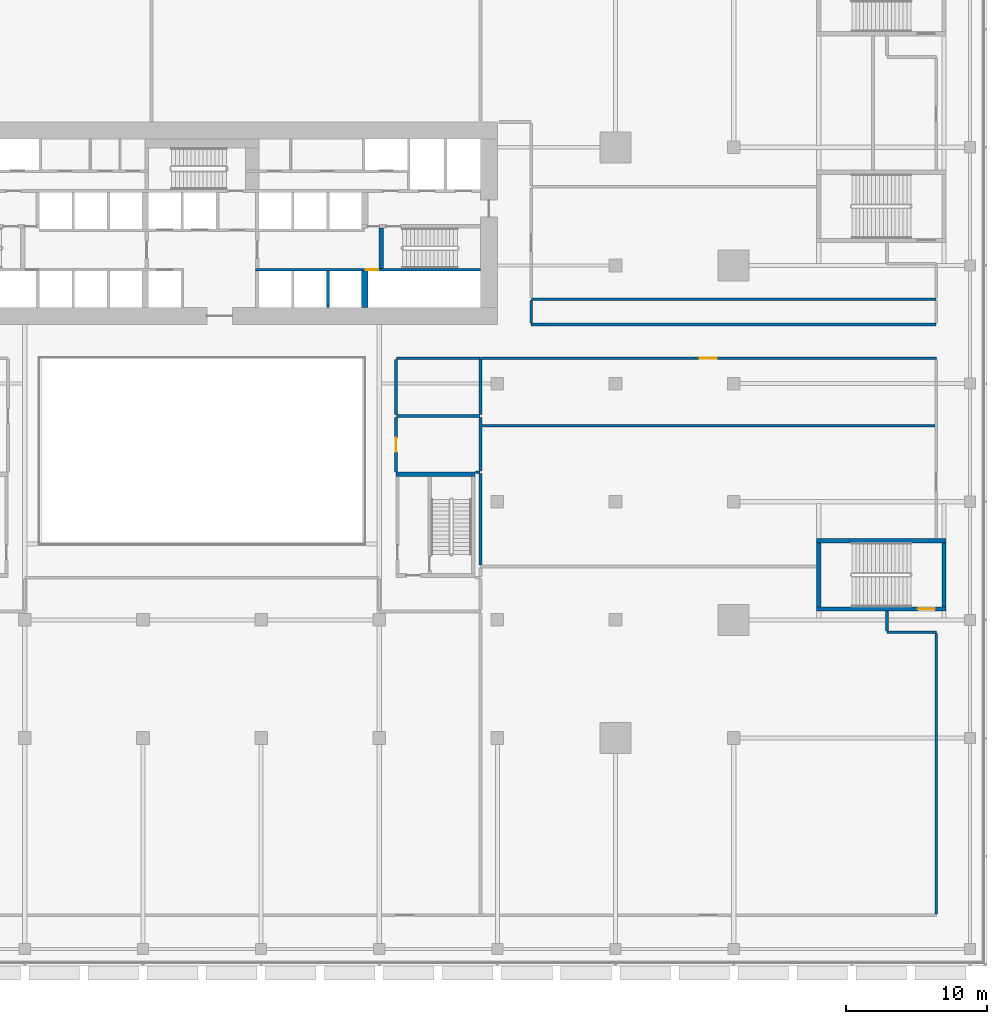
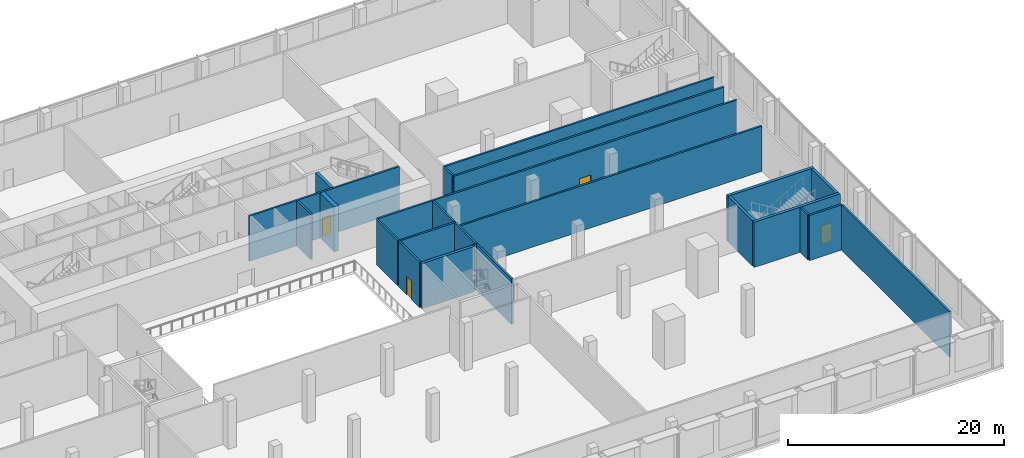
# One storey, part 30 of 39: 25 walls, 4 doors, 4 openings.
"""IFC4 building model written with IfcOpenShell, lengths in metres."""

from ifc_helpers import new_model, si_unit, direction, frame, frame_2d, origin, place, context, subcontext, project, spatial, rectangle, extrude, material, layer, layer_set, type_object, element, fill, save


model = new_model("IFC4")

# Units and contexts
model_context = context("Model", 3, precision=1e-05, world=origin(), true_north=direction((0.0, 1.0)))
body_context = subcontext(model_context, "Body", "Model", "MODEL_VIEW")
ifc_project = project(units=[si_unit("LENGTHUNIT", "METRE"), si_unit("AREAUNIT", "SQUARE_METRE"), si_unit("VOLUMEUNIT", "CUBIC_METRE"), si_unit("PLANEANGLEUNIT", "RADIAN"), si_unit("MASSUNIT", "GRAM", prefix="KILO")], contexts=[model_context])

# Site, building, storey
site_placement = place(None, origin())
site = spatial("IfcSite", under=ifc_project, at=site_placement, CompositionType="ELEMENT")
building_placement = place(site_placement, origin())
building = spatial("IfcBuilding", under=site, at=building_placement, Name="Saffron Gate Tower", CompositionType="ELEMENT")
storey_placement = place(building_placement, frame((0.0, 0.0, 9.0)))
storey = spatial("IfcBuildingStorey", under=building, at=storey_placement, Name="L01", CompositionType="ELEMENT", Elevation=9.0)

# Wall
ifc_material_1 = material(Name="Concrete C70", Category="concrete")
ifc_layer_1 = layer(ifc_material_1, 0.199951171875)
ifc_layer_set_1 = layer_set([ifc_layer_1], Name="CW3 RC core wall 200 C70")
wall_type_1 = type_object("IfcWallType", Name="CW3 RC core wall 200 C70", PredefinedType="SOLIDWALL", material=ifc_layer_set_1)
wall_1_placement = place(storey_placement, frame((96.550048828125, 62.39990234375, 0.0), z_axis=(0.0, 0.0, 1.0), x_axis=(0.0, 1.0, 0.0)))
element("IfcWall", 1, at=wall_1_placement, inside=storey, type_object=wall_type_1, Name="Wall CW3-L01-12", PredefinedType="SOLIDWALL", context=body_context, shape_type="SweptSolid", body=[
    extrude(rectangle(XDim=2.60009765625, YDim=0.199951171875, at=frame_2d((1.300048828125, 0.0))), origin(), (0.0, 0.0, 1.0), 5.10009765625),
])

# Wall, opening, door
wall_2_placement = place(storey_placement, frame((91.39990234375, 65.10009765625, 0.0), z_axis=(0.0, 0.0, 1.0), x_axis=(1.0, 0.0, 0.0)))
wall_2 = element("IfcWall", 2, at=wall_2_placement, inside=storey, type_object=wall_type_1, Name="Wall CW3-L01-15", PredefinedType="SOLIDWALL", context=body_context, shape_type="SweptSolid", body=[
    extrude(rectangle(XDim=16.0, YDim=0.199951171875, at=frame_2d((8.0, 0.0))), origin(), (0.0, 0.0, 1.0), 5.10009765625),
])
opening_1_placement = place(wall_2_placement, frame((7.830078125, 0.0, 0.0)))
opening_1 = element("IfcOpeningElement", 3, at=opening_1_placement, cuts=wall_2, Name="Opening CR-48", PredefinedType="OPENING", context=body_context, shape_type="SweptSolid", body=[
    extrude(rectangle(XDim=0.89990234375, YDim=2.10009765625, at=frame_2d((0.449951171875, 1.050048828125))), frame((0.0, 0.10986328125, 0.0), z_axis=(0.0, -1.0, 0.0), x_axis=(1.0, 0.0, 0.0)), (0.0, 0.0, 1.0), 0.219970703125),
])
ifc_material_2 = material(Name="Steel fire door set", Category="steel")
door_type_1 = type_object("IfcDoorType", Name="CD2 Riser door 900x2100 EI 60", OperationType="NOTDEFINED", PredefinedType="DOOR", material=ifc_material_2)
door_1_placement = place(opening_1_placement, origin())
door_1 = element("IfcDoor", 4, at=door_1_placement, inside=storey, type_object=door_type_1, Name="DOOR CR-48", OperationType="SINGLE_SWING_RIGHT", OverallHeight=2.10009765625, OverallWidth=0.89990234375, PredefinedType="DOOR", context=body_context, shape_type="SweptSolid", body=[
    extrude(rectangle(XDim=0.89990234375, YDim=2.10009765625, at=frame_2d((0.449951171875, 1.050048828125))), frame((0.0, 0.02490234375, 0.0), z_axis=(0.0, -1.0, 0.0), x_axis=(1.0, 0.0, 0.0)), (0.0, 0.0, 1.0), 0.050048828125),
])
fill(opening_1, door_1)

# Walls
ifc_layer_2 = layer(ifc_material_1, 0.449951171875)
ifc_layer_set_2 = layer_set([ifc_layer_2], Name="CW4 RC core wall 450 C70")
wall_type_2 = type_object("IfcWallType", Name="CW4 RC core wall 450 C70", PredefinedType="SOLIDWALL", material=ifc_layer_set_2)
wall_3_placement = place(storey_placement, frame((99.175048828125, 62.39990234375, 0.0), z_axis=(0.0, 0.0, 1.0), x_axis=(0.0, 1.0, 0.0)))
element("IfcWall", 5, at=wall_3_placement, inside=storey, type_object=wall_type_2, Name="Wall CW4-L01-13", PredefinedType="SOLIDWALL", context=body_context, shape_type="SweptSolid", body=[
    extrude(rectangle(XDim=2.60009765625, YDim=0.449951171875, at=frame_2d((1.300048828125, 0.0))), origin(), (0.0, 0.0, 1.0), 5.10009765625),
])
ifc_layer_3 = layer(ifc_material_1, 0.300048828125)
ifc_layer_set_3 = layer_set([ifc_layer_3], Name="CW5 RC core wall 300 C70")
wall_type_3 = type_object("IfcWallType", Name="CW5 RC core wall 300 C70", PredefinedType="SOLIDWALL", material=ifc_layer_set_3)
wall_4_placement = place(storey_placement, frame((100.35009765625, 65.199951171875, 0.0), z_axis=(0.0, 0.0, 1.0), x_axis=(0.0, 1.0, 0.0)))
element("IfcWall", 6, at=wall_4_placement, inside=storey, type_object=wall_type_3, Name="Wall CW5-L01-19", PredefinedType="SOLIDWALL", context=body_context, shape_type="SweptSolid", body=[
    extrude(rectangle(XDim=2.85009765625, YDim=0.300048828125, at=frame_2d((1.425048828125, 0.0))), origin(), (0.0, 0.0, 1.0), 5.10009765625),
])
wall_5_placement = place(storey_placement, frame((101.39990234375, 50.550048828125, 0.0), z_axis=(0.0, 0.0, 1.0), x_axis=(1.0, 0.0, 0.0)))
element("IfcWall", 7, at=wall_5_placement, inside=storey, type_object=wall_type_3, Name="Wall CW5-L01-E-5", PredefinedType="SOLIDWALL", context=body_context, shape_type="SweptSolid", body=[
    extrude(rectangle(XDim=5.60009765625, YDim=0.300048828125, at=frame_2d((2.800048828125, 0.0))), origin(), (0.0, 0.0, 1.0), 5.10009765625),
])

# Wall, opening, door
wall_6_placement = place(storey_placement, frame((131.300048828125, 40.97509765625, 0.0), z_axis=(0.0, 0.0, 1.0), x_axis=(1.0, 0.0, 0.0)))
wall_6 = element("IfcWall", 8, at=wall_6_placement, inside=storey, type_object=wall_type_3, Name="Wall CW5-L01-K-1", PredefinedType="SOLIDWALL", context=body_context, shape_type="SweptSolid", body=[
    extrude(rectangle(XDim=9.199951171875, YDim=0.300048828125, at=frame_2d((4.60009765625, 0.0))), origin(), (0.0, 0.0, 1.0), 5.10009765625),
])
opening_2_placement = place(wall_6_placement, frame((7.199951171875, 0.0, 0.0)))
opening_2 = element("IfcOpeningElement", 9, at=opening_2_placement, cuts=wall_6, Name="Opening CR-41", PredefinedType="OPENING", context=body_context, shape_type="SweptSolid", body=[
    extrude(rectangle(XDim=1.199951171875, YDim=2.10009765625, at=frame_2d((0.60009765625, 1.050048828125))), frame((0.0, 0.16015625, 0.0), z_axis=(0.0, -1.0, 0.0), x_axis=(1.0, 0.0, 0.0)), (0.0, 0.0, 1.0), 0.320068359375),
])
door_type_2 = type_object("IfcDoorType", Name="CD12 Stair door 1200x2100 EI 120", OperationType="NOTDEFINED", PredefinedType="DOOR", material=ifc_material_2)
door_2_placement = place(opening_2_placement, origin())
door_2 = element("IfcDoor", 10, at=door_2_placement, inside=storey, type_object=door_type_2, Name="DOOR CR-41", OperationType="SINGLE_SWING_RIGHT", OverallHeight=2.10009765625, OverallWidth=1.199951171875, PredefinedType="DOOR", context=body_context, shape_type="SweptSolid", body=[
    extrude(rectangle(XDim=1.199951171875, YDim=2.10009765625, at=frame_2d((0.60009765625, 1.050048828125))), frame((0.0, 0.02490234375, 0.0), z_axis=(0.0, -1.0, 0.0), x_axis=(1.0, 0.0, 0.0)), (0.0, 0.0, 1.0), 0.050048828125),
])
fill(opening_2, door_2)

# Walls
for number, where, z_axis, x_axis, name in (
    (11, (131.449951171875, 41.125, 0.0), (0.0, 0.0, 1.0), (0.0, 1.0, 0.0), "Wall CW5-L01-K-2"),
    (12, (140.35009765625, 41.125, 0.0), (0.0, 0.0, 1.0), (0.0, 1.0, 0.0), "Wall CW5-L01-K-3"),
):
    element("IfcWall", number, at=place(storey_placement, frame(where, z_axis=z_axis, x_axis=x_axis)), inside=storey, type_object=wall_type_3, Name=name, PredefinedType="SOLIDWALL", context=body_context, shape_type="SweptSolid", body=[
        extrude(rectangle(XDim=4.550048828125, YDim=0.300048828125, at=frame_2d((2.27490234375, 0.0))), origin(), (0.0, 0.0, 1.0), 5.10009765625),
    ])
wall_7_placement = place(storey_placement, frame((131.300048828125, 45.824951171875, 0.0), z_axis=(0.0, 0.0, 1.0), x_axis=(1.0, 0.0, 0.0)))
element("IfcWall", 13, at=wall_7_placement, inside=storey, type_object=wall_type_3, Name="Wall CW5-L01-K-4", PredefinedType="SOLIDWALL", context=body_context, shape_type="SweptSolid", body=[
    extrude(rectangle(XDim=9.199951171875, YDim=0.300048828125, at=frame_2d((4.60009765625, 0.0))), origin(), (0.0, 0.0, 1.0), 5.10009765625),
])
ifc_material_3 = material(Name="Clay brick masonry, rendered", Category="masonry")
ifc_layer_4 = layer(ifc_material_3, 0.199951171875)
ifc_layer_set_4 = layer_set([ifc_layer_4], Name="PW3 Corridor wall 200")
wall_type_4 = type_object("IfcWallType", Name="PW3 Corridor wall 200", PredefinedType="PARTITIONING", material=ifc_layer_set_4)
wall_8_placement = place(storey_placement, frame((136.300048828125, 39.324951171875, 0.0), z_axis=(0.0, 0.0, 1.0), x_axis=(1.0, 0.0, 0.0)))
element("IfcWall", 14, at=wall_8_placement, inside=storey, type_object=wall_type_4, Name="Wall P1-3", PredefinedType="PARTITIONING", context=body_context, shape_type="SweptSolid", body=[
    extrude(rectangle(XDim=3.5, YDim=0.199951171875, at=frame_2d((1.75, 0.0))), origin(), (0.0, 0.0, 1.0), 5.10009765625),
])

# Wall, opening, door
wall_9_placement = place(storey_placement, frame((139.800048828125, 58.800048828125, 0.0), z_axis=(0.0, 0.0, 1.0), x_axis=(-1.0, 0.0, 0.0)))
wall_9 = element("IfcWall", 15, at=wall_9_placement, inside=storey, type_object=wall_type_4, Name="Wall P1-17", PredefinedType="PARTITIONING", context=body_context, shape_type="SweptSolid", body=[
    extrude(rectangle(XDim=32.400146484375, YDim=0.199951171875, at=frame_2d((16.2001953125, 0.0))), origin(), (0.0, 0.0, 1.0), 5.10009765625),
])
opening_3_placement = place(wall_9_placement, frame((15.60009765625, 0.0, 0.0)))
opening_3 = element("IfcOpeningElement", 16, at=opening_3_placement, cuts=wall_9, Name="Opening P1-13", PredefinedType="OPENING", context=body_context, shape_type="SweptSolid", body=[
    extrude(rectangle(XDim=1.199951171875, YDim=2.10009765625, at=frame_2d((0.60009765625, 1.050048828125))), frame((0.0, 0.10986328125, 0.0), z_axis=(0.0, -1.0, 0.0), x_axis=(1.0, 0.0, 0.0)), (0.0, 0.0, 1.0), 0.219970703125),
])
ifc_material_4 = material(Name="Timber door set", Category="wood")
door_type_3 = type_object("IfcDoorType", Name="HD1 Hall door 1200x2100", OperationType="NOTDEFINED", PredefinedType="DOOR", material=ifc_material_4)
door_3_placement = place(opening_3_placement, origin())
door_3 = element("IfcDoor", 17, at=door_3_placement, inside=storey, type_object=door_type_3, Name="Door P1-13", OperationType="SINGLE_SWING_RIGHT", OverallHeight=2.10009765625, OverallWidth=1.199951171875, PredefinedType="DOOR", context=body_context, shape_type="SweptSolid", body=[
    extrude(rectangle(XDim=1.199951171875, YDim=2.10009765625, at=frame_2d((0.60009765625, 1.050048828125))), frame((0.0, 0.02490234375, 0.0), z_axis=(0.0, -1.0, 0.0), x_axis=(1.0, 0.0, 0.0)), (0.0, 0.0, 1.0), 0.050048828125),
])
fill(opening_3, door_3)

wall_10_placement = place(storey_placement, frame((101.39990234375, 54.60009765625, 0.0), z_axis=(0.0, 0.0, 1.0), x_axis=(0.0, -1.0, 0.0)))
wall_10 = element("IfcWall", 18, at=wall_10_placement, inside=storey, type_object=wall_type_4, Name="Wall P1-57", PredefinedType="PARTITIONING", context=body_context, shape_type="SweptSolid", body=[
    extrude(rectangle(XDim=3.900146484375, YDim=0.199951171875, at=frame_2d((1.9501953125, 0.0))), origin(), (0.0, 0.0, 1.0), 5.10009765625),
])
opening_4_placement = place(wall_10_placement, frame((1.449951171875, 0.0, 0.0)))
opening_4 = element("IfcOpeningElement", 19, at=opening_4_placement, cuts=wall_10, Name="Opening P1-6", PredefinedType="OPENING", context=body_context, shape_type="SweptSolid", body=[
    extrude(rectangle(XDim=1.0, YDim=2.10009765625, at=frame_2d((0.5, 1.050048828125))), frame((0.0, 0.10986328125, 0.0), z_axis=(0.0, -1.0, 0.0), x_axis=(1.0, 0.0, 0.0)), (0.0, 0.0, 1.0), 0.219970703125),
])
door_type_4 = type_object("IfcDoorType", Name="RD1 Room door 900x2100", OperationType="NOTDEFINED", PredefinedType="DOOR", material=ifc_material_4)
door_4_placement = place(opening_4_placement, origin())
door_4 = element("IfcDoor", 20, at=door_4_placement, inside=storey, type_object=door_type_4, Name="Door P1-6", OperationType="SINGLE_SWING_RIGHT", OverallHeight=2.10009765625, OverallWidth=1.0, PredefinedType="DOOR", context=body_context, shape_type="SweptSolid", body=[
    extrude(rectangle(XDim=1.0, YDim=2.10009765625, at=frame_2d((0.5, 1.050048828125))), frame((0.0, 0.02490234375, 0.0), z_axis=(0.0, -1.0, 0.0), x_axis=(1.0, 0.0, 0.0)), (0.0, 0.0, 1.0), 0.050048828125),
])
fill(opening_4, door_4)

# Walls
wall_11_placement = place(storey_placement, frame((136.300048828125, 40.824951171875, 0.0), z_axis=(0.0, 0.0, 1.0), x_axis=(0.0, -1.0, 0.0)))
element("IfcWall", 21, at=wall_11_placement, inside=storey, type_object=wall_type_4, Name="Wall P1-70", PredefinedType="PARTITIONING", context=body_context, shape_type="SweptSolid", body=[
    extrude(rectangle(XDim=1.39990234375, YDim=0.199951171875, at=frame_2d((0.699951171875, 0.0))), origin(), (0.0, 0.0, 1.0), 5.10009765625),
])
wall_12_placement = place(storey_placement, frame((139.800048828125, 39.22509765625, 0.0), z_axis=(0.0, 0.0, 1.0), x_axis=(0.0, -1.0, 0.0)))
element("IfcWall", 22, at=wall_12_placement, inside=storey, type_object=wall_type_4, Name="Wall P1-73", PredefinedType="PARTITIONING", context=body_context, shape_type="SweptSolid", body=[
    extrude(rectangle(XDim=19.925048828125, YDim=0.199951171875, at=frame_2d((9.96240234375, 0.0))), origin(), (0.0, 0.0, 1.0), 5.10009765625),
])
ifc_layer_5 = layer(ifc_material_3, 0.199951171875)
ifc_layer_set_5 = layer_set([ifc_layer_5], Name="PW5 Room wall 200")
wall_type_5 = type_object("IfcWallType", Name="PW5 Room wall 200", PredefinedType="PARTITIONING", material=ifc_layer_set_5)
wall_13_placement = place(storey_placement, frame((107.050048828125, 50.699951171875, 0.0), z_axis=(0.0, 0.0, 1.0), x_axis=(1.0, 0.0, 0.0)))
element("IfcWall", 23, at=wall_13_placement, inside=storey, type_object=wall_type_5, Name="Wall P1-12", PredefinedType="PARTITIONING", context=body_context, shape_type="SweptSolid", body=[
    extrude(rectangle(XDim=0.329833984375, YDim=0.199951171875, at=frame_2d((0.1650390625, 0.0))), origin(), (0.0, 0.0, 1.0), 5.10009765625),
])
wall_14_placement = place(storey_placement, frame((107.5, 54.0, 0.0), z_axis=(0.0, 0.0, 1.0), x_axis=(1.0, 0.0, 0.0)))
element("IfcWall", 24, at=wall_14_placement, inside=storey, type_object=wall_type_5, Name="Wall P1-14", PredefinedType="PARTITIONING", context=body_context, shape_type="SweptSolid", body=[
    extrude(rectangle(XDim=32.199951171875, YDim=0.199951171875, at=frame_2d((16.10009765625, 0.0))), origin(), (0.0, 0.0, 1.0), 5.10009765625),
])
for number, where, z_axis, x_axis, name in (
    (25, (101.419921875, 54.699951171875, 0.0), (0.0, 0.0, 1.0), (1.0, 0.0, 0.0), "Wall P1-15"),
    (26, (101.419921875, 58.800048828125, 0.0), (0.0, 0.0, 1.0), (1.0, 0.0, 0.0), "Wall P1-18"),
):
    element("IfcWall", number, at=place(storey_placement, frame(where, z_axis=z_axis, x_axis=x_axis)), inside=storey, type_object=wall_type_5, Name=name, PredefinedType="PARTITIONING", context=body_context, shape_type="SweptSolid", body=[
        extrude(rectangle(XDim=5.9599609375, YDim=0.199951171875, at=frame_2d((2.97998046875, 0.0))), origin(), (0.0, 0.0, 1.0), 5.10009765625),
    ])
wall_15_placement = place(storey_placement, frame((111.0, 61.199951171875, 0.0), z_axis=(0.0, 0.0, 1.0), x_axis=(1.0, 0.0, 0.0)))
element("IfcWall", 27, at=wall_15_placement, inside=storey, type_object=wall_type_5, Name="Wall P1-20", PredefinedType="PARTITIONING", context=body_context, shape_type="SweptSolid", body=[
    extrude(rectangle(XDim=28.780029296875, YDim=0.199951171875, at=frame_2d((14.39013671875, 0.0))), origin(), (0.0, 0.0, 1.0), 5.10009765625),
])
wall_16_placement = place(storey_placement, frame((111.02001953125, 63.0, 0.0), z_axis=(0.0, 0.0, 1.0), x_axis=(1.0, 0.0, 0.0)))
element("IfcWall", 28, at=wall_16_placement, inside=storey, type_object=wall_type_5, Name="Wall P1-22", PredefinedType="PARTITIONING", context=body_context, shape_type="SweptSolid", body=[
    extrude(rectangle(XDim=28.760009765625, YDim=0.199951171875, at=frame_2d((14.3798828125, 0.0))), origin(), (0.0, 0.0, 1.0), 5.10009765625),
])
wall_17_placement = place(storey_placement, frame((101.39990234375, 58.699951171875, 0.0), z_axis=(0.0, 0.0, 1.0), x_axis=(0.0, -1.0, 0.0)))
element("IfcWall", 29, at=wall_17_placement, inside=storey, type_object=wall_type_5, Name="Wall P1-58", PredefinedType="PARTITIONING", context=body_context, shape_type="SweptSolid", body=[
    extrude(rectangle(XDim=3.89990234375, YDim=0.199951171875, at=frame_2d((1.949951171875, 0.0))), origin(), (0.0, 0.0, 1.0), 5.10009765625),
])
wall_18_placement = place(storey_placement, frame((107.39990234375, 50.60009765625, 0.0), z_axis=(0.0, 0.0, 1.0), x_axis=(0.0, -1.0, 0.0)))
element("IfcWall", 30, at=wall_18_placement, inside=storey, type_object=wall_type_5, Name="Wall P1-61", PredefinedType="PARTITIONING", context=body_context, shape_type="SweptSolid", body=[
    extrude(rectangle(XDim=6.5, YDim=0.199951171875, at=frame_2d((3.25, 0.0))), origin(), (0.0, 0.0, 1.0), 5.10009765625),
])
wall_19_placement = place(storey_placement, frame((107.39990234375, 58.699951171875, 0.0), z_axis=(0.0, 0.0, 1.0), x_axis=(0.0, -1.0, 0.0)))
element("IfcWall", 31, at=wall_19_placement, inside=storey, type_object=wall_type_5, Name="Wall P1-62", PredefinedType="PARTITIONING", context=body_context, shape_type="SweptSolid", body=[
    extrude(rectangle(XDim=3.89990234375, YDim=0.199951171875, at=frame_2d((1.949951171875, 0.0))), origin(), (0.0, 0.0, 1.0), 5.10009765625),
])
wall_20_placement = place(storey_placement, frame((107.39990234375, 54.60009765625, 0.0), z_axis=(0.0, 0.0, 1.0), x_axis=(0.0, -1.0, 0.0)))
element("IfcWall", 32, at=wall_20_placement, inside=storey, type_object=wall_type_5, Name="Wall P1-65", PredefinedType="PARTITIONING", context=body_context, shape_type="SweptSolid", body=[
    extrude(rectangle(XDim=3.800048828125, YDim=0.199951171875, at=frame_2d((1.89990234375, 0.0))), origin(), (0.0, 0.0, 1.0), 5.10009765625),
])
wall_21_placement = place(storey_placement, frame((111.0, 62.89990234375, 0.0), z_axis=(0.0, 0.0, 1.0), x_axis=(0.0, -1.0, 0.0)))
element("IfcWall", 33, at=wall_21_placement, inside=storey, type_object=wall_type_5, Name="Wall P1-67", PredefinedType="PARTITIONING", context=body_context, shape_type="SweptSolid", body=[
    extrude(rectangle(XDim=1.599853515625, YDim=0.199951171875, at=frame_2d((0.7998046875, 0.0))), origin(), (0.0, 0.0, 1.0), 5.10009765625),
])

save(model, "model.ifc")
